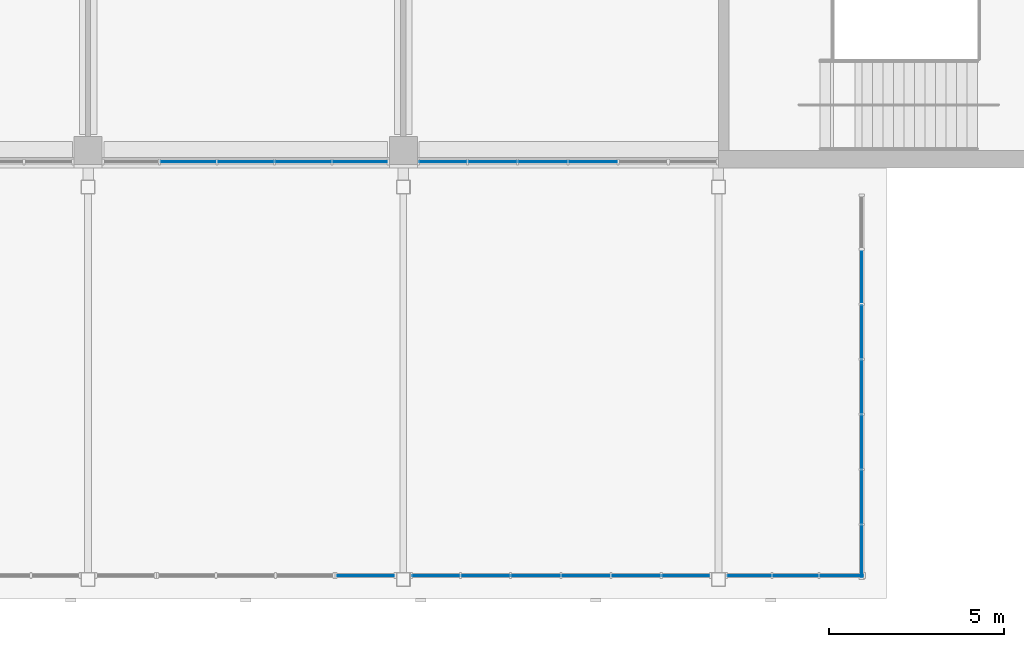
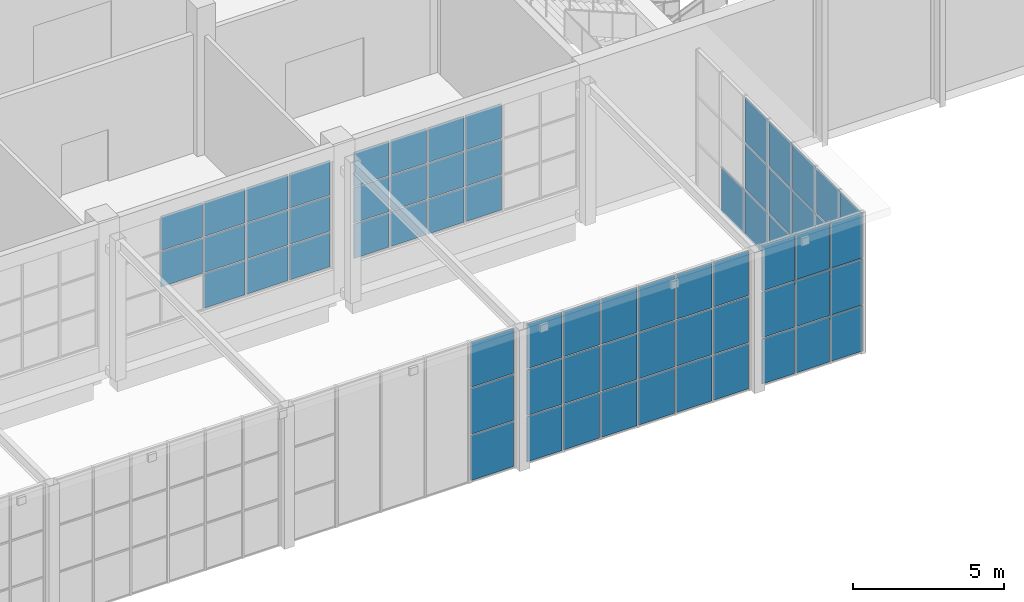
# One storey, part 30 of 89: 69 plates, 6 elements without a shape of their own.
"""IFC4 building model written with IfcOpenShell, lengths in metres."""

from ifc_helpers import new_model, si_unit, direction, frame, origin, origin_2d, place, context, subcontext, project, spatial, rectangle, extrude, material, layer, layer_set, type_object, element, aggregate, save


model = new_model("IFC4")

# Units and contexts
model_context = context("Model", 3, precision=1e-05, world=origin(), true_north=direction((0.0, 1.0)))
body_context = subcontext(model_context, "Body", "Model", "MODEL_VIEW")
ifc_project = project(units=[si_unit("LENGTHUNIT", "METRE"), si_unit("AREAUNIT", "SQUARE_METRE"), si_unit("VOLUMEUNIT", "CUBIC_METRE"), si_unit("PLANEANGLEUNIT", "RADIAN"), si_unit("MASSUNIT", "GRAM", prefix="KILO")], contexts=[model_context])

# Site, building, storey
site_placement = place(None, origin())
site = spatial("IfcSite", under=ifc_project, at=site_placement, CompositionType="ELEMENT")
building_placement = place(site_placement, origin())
building = spatial("IfcBuilding", under=site, at=building_placement, Name="Silverbay Arena", CompositionType="ELEMENT")
storey_placement = place(building_placement, frame((0.0, 0.0, 22.0)))
storey = spatial("IfcBuildingStorey", under=building, at=storey_placement, Name="L03", CompositionType="ELEMENT", Elevation=22.0)

# Curtain wall, plates
ifc_material_1 = material(Name="Aluminium framed curtain wall", Category="aluminium")
curtain_wall_type_1 = type_object("IfcCurtainWallType", Name="Curtain wall 8200 x 4400", PredefinedType="NOTDEFINED", material=ifc_material_1)
curtain_wall_1_placement = place(storey_placement, origin())
curtain_wall_1 = element("IfcCurtainWall", 1, at=curtain_wall_1_placement, inside=storey, type_object=curtain_wall_type_1, Name="South curtain wall L03 bay 9", PredefinedType="NOTDEFINED")
ifc_material_2 = material(Name="Laminated glass", Category="glass")
ifc_layer = layer(ifc_material_2, 0.028076171875)
ifc_layer_set = layer_set([ifc_layer], Name="Laminated glass")
plate_type = type_object("IfcPlateType", Name="Glass panel 28", PredefinedType="CURTAIN_PANEL", material=ifc_layer_set)
plate_1_placement = place(storey_placement, frame((128.860107421875, 17.669921875, 2.49169921875), z_axis=(0.0, 0.0, 1.0), x_axis=(1.0, 0.0, 0.0)))
plate_1 = element("IfcPlate", 2, at=plate_1_placement, type_object=plate_type, Name="CW13 panel 2.2", PredefinedType="CURTAIN_PANEL", context=body_context, shape_type="SweptSolid", body=[
    extrude(rectangle(XDim=1.580078125, YDim=0.028076171875, at=origin_2d()), origin(), (0.0, 0.0, 1.0), 1.416748046875),
])
plate_2_placement = place(storey_placement, frame((128.860107421875, 17.669921875, 3.958251953125), z_axis=(0.0, 0.0, 1.0), x_axis=(1.0, 0.0, 0.0)))
plate_2 = element("IfcPlate", 3, at=plate_2_placement, type_object=plate_type, Name="CW13 panel 2.3", PredefinedType="CURTAIN_PANEL", context=body_context, shape_type="SweptSolid", body=[
    extrude(rectangle(XDim=1.580078125, YDim=0.028076171875, at=origin_2d()), origin(), (0.0, 0.0, 1.0), 1.3916015625),
])
plate_3_placement = place(storey_placement, frame((130.5, 17.669921875, 1.050048828125), z_axis=(0.0, 0.0, 1.0), x_axis=(1.0, 0.0, 0.0)))
plate_3 = element("IfcPlate", 4, at=plate_3_placement, type_object=plate_type, Name="CW13 panel 3.1", PredefinedType="CURTAIN_PANEL", context=body_context, shape_type="SweptSolid", body=[
    extrude(rectangle(XDim=1.580078125, YDim=0.028076171875, at=origin_2d()), origin(), (0.0, 0.0, 1.0), 1.3916015625),
])
plate_4_placement = place(storey_placement, frame((130.5, 17.669921875, 2.49169921875), z_axis=(0.0, 0.0, 1.0), x_axis=(1.0, 0.0, 0.0)))
plate_4 = element("IfcPlate", 5, at=plate_4_placement, type_object=plate_type, Name="CW13 panel 3.2", PredefinedType="CURTAIN_PANEL", context=body_context, shape_type="SweptSolid", body=[
    extrude(rectangle(XDim=1.580078125, YDim=0.028076171875, at=origin_2d()), origin(), (0.0, 0.0, 1.0), 1.416748046875),
])
plate_5_placement = place(storey_placement, frame((130.5, 17.669921875, 3.958251953125), z_axis=(0.0, 0.0, 1.0), x_axis=(1.0, 0.0, 0.0)))
plate_5 = element("IfcPlate", 6, at=plate_5_placement, type_object=plate_type, Name="CW13 panel 3.3", PredefinedType="CURTAIN_PANEL", context=body_context, shape_type="SweptSolid", body=[
    extrude(rectangle(XDim=1.580078125, YDim=0.028076171875, at=origin_2d()), origin(), (0.0, 0.0, 1.0), 1.3916015625),
])
plate_6_placement = place(storey_placement, frame((132.139892578125, 17.669921875, 1.050048828125), z_axis=(0.0, 0.0, 1.0), x_axis=(1.0, 0.0, 0.0)))
plate_6 = element("IfcPlate", 7, at=plate_6_placement, type_object=plate_type, Name="CW13 panel 4.1", PredefinedType="CURTAIN_PANEL", context=body_context, shape_type="SweptSolid", body=[
    extrude(rectangle(XDim=1.580078125, YDim=0.028076171875, at=origin_2d()), origin(), (0.0, 0.0, 1.0), 1.3916015625),
])
plate_7_placement = place(storey_placement, frame((132.139892578125, 17.669921875, 2.49169921875), z_axis=(0.0, 0.0, 1.0), x_axis=(1.0, 0.0, 0.0)))
plate_7 = element("IfcPlate", 8, at=plate_7_placement, type_object=plate_type, Name="CW13 panel 4.2", PredefinedType="CURTAIN_PANEL", context=body_context, shape_type="SweptSolid", body=[
    extrude(rectangle(XDim=1.580078125, YDim=0.028076171875, at=origin_2d()), origin(), (0.0, 0.0, 1.0), 1.416748046875),
])
plate_8_placement = place(storey_placement, frame((132.139892578125, 17.669921875, 3.958251953125), z_axis=(0.0, 0.0, 1.0), x_axis=(1.0, 0.0, 0.0)))
plate_8 = element("IfcPlate", 9, at=plate_8_placement, type_object=plate_type, Name="CW13 panel 4.3", PredefinedType="CURTAIN_PANEL", context=body_context, shape_type="SweptSolid", body=[
    extrude(rectangle(XDim=1.580078125, YDim=0.028076171875, at=origin_2d()), origin(), (0.0, 0.0, 1.0), 1.3916015625),
])
plate_9_placement = place(storey_placement, frame((133.764892578125, 17.669921875, 1.050048828125), z_axis=(0.0, 0.0, 1.0), x_axis=(1.0, 0.0, 0.0)))
plate_9 = element("IfcPlate", 10, at=plate_9_placement, type_object=plate_type, Name="CW13 panel 5.1", PredefinedType="CURTAIN_PANEL", context=body_context, shape_type="SweptSolid", body=[
    extrude(rectangle(XDim=1.550048828125, YDim=0.028076171875, at=origin_2d()), origin(), (0.0, 0.0, 1.0), 1.3916015625),
])
plate_10_placement = place(storey_placement, frame((133.764892578125, 17.669921875, 2.49169921875), z_axis=(0.0, 0.0, 1.0), x_axis=(1.0, 0.0, 0.0)))
plate_10 = element("IfcPlate", 11, at=plate_10_placement, type_object=plate_type, Name="CW13 panel 5.2", PredefinedType="CURTAIN_PANEL", context=body_context, shape_type="SweptSolid", body=[
    extrude(rectangle(XDim=1.550048828125, YDim=0.028076171875, at=origin_2d()), origin(), (0.0, 0.0, 1.0), 1.416748046875),
])
plate_11_placement = place(storey_placement, frame((133.764892578125, 17.669921875, 3.958251953125), z_axis=(0.0, 0.0, 1.0), x_axis=(1.0, 0.0, 0.0)))
plate_11 = element("IfcPlate", 12, at=plate_11_placement, type_object=plate_type, Name="CW13 panel 5.3", PredefinedType="CURTAIN_PANEL", context=body_context, shape_type="SweptSolid", body=[
    extrude(rectangle(XDim=1.550048828125, YDim=0.028076171875, at=origin_2d()), origin(), (0.0, 0.0, 1.0), 1.3916015625),
])
aggregate(curtain_wall_1, [plate_1, plate_2, plate_3, plate_4, plate_5, plate_6, plate_7, plate_8, plate_9, plate_10, plate_11])

ifc_material_3 = material(Name="Aluminium framed curtain wall", Category="aluminium")
curtain_wall_type_2 = type_object("IfcCurtainWallType", Name="Curtain wall 8600 x 4400", PredefinedType="NOTDEFINED", material=ifc_material_3)
curtain_wall_2_placement = place(storey_placement, origin())
curtain_wall_2 = element("IfcCurtainWall", 13, at=curtain_wall_2_placement, inside=storey, type_object=curtain_wall_type_2, Name="South curtain wall L03 bay 10", PredefinedType="NOTDEFINED")
plate_12_placement = place(storey_placement, frame((136.131591796875, 17.669921875, 1.050048828125), z_axis=(0.0, 0.0, 1.0), x_axis=(1.0, 0.0, 0.0)))
plate_12 = element("IfcPlate", 14, at=plate_12_placement, type_object=plate_type, Name="CW12 panel 1.1", PredefinedType="CURTAIN_PANEL", context=body_context, shape_type="SweptSolid", body=[
    extrude(rectangle(XDim=1.34326171875, YDim=0.028076171875, at=origin_2d()), origin(), (0.0, 0.0, 1.0), 1.3916015625),
])
plate_13_placement = place(storey_placement, frame((136.131591796875, 17.669921875, 2.49169921875), z_axis=(0.0, 0.0, 1.0), x_axis=(1.0, 0.0, 0.0)))
plate_13 = element("IfcPlate", 15, at=plate_13_placement, type_object=plate_type, Name="CW12 panel 1.2", PredefinedType="CURTAIN_PANEL", context=body_context, shape_type="SweptSolid", body=[
    extrude(rectangle(XDim=1.34326171875, YDim=0.028076171875, at=origin_2d()), origin(), (0.0, 0.0, 1.0), 1.416748046875),
])
plate_14_placement = place(storey_placement, frame((136.131591796875, 17.669921875, 3.958251953125), z_axis=(0.0, 0.0, 1.0), x_axis=(1.0, 0.0, 0.0)))
plate_14 = element("IfcPlate", 16, at=plate_14_placement, type_object=plate_type, Name="CW12 panel 1.3", PredefinedType="CURTAIN_PANEL", context=body_context, shape_type="SweptSolid", body=[
    extrude(rectangle(XDim=1.34326171875, YDim=0.028076171875, at=origin_2d()), origin(), (0.0, 0.0, 1.0), 1.3916015625),
])
plate_15_placement = place(storey_placement, frame((137.550048828125, 17.669921875, 1.050048828125), z_axis=(0.0, 0.0, 1.0), x_axis=(1.0, 0.0, 0.0)))
plate_15 = element("IfcPlate", 17, at=plate_15_placement, type_object=plate_type, Name="CW12 panel 2.1", PredefinedType="CURTAIN_PANEL", context=body_context, shape_type="SweptSolid", body=[
    extrude(rectangle(XDim=1.373291015625, YDim=0.028076171875, at=origin_2d()), origin(), (0.0, 0.0, 1.0), 1.3916015625),
])
plate_16_placement = place(storey_placement, frame((137.550048828125, 17.669921875, 2.49169921875), z_axis=(0.0, 0.0, 1.0), x_axis=(1.0, 0.0, 0.0)))
plate_16 = element("IfcPlate", 18, at=plate_16_placement, type_object=plate_type, Name="CW12 panel 2.2", PredefinedType="CURTAIN_PANEL", context=body_context, shape_type="SweptSolid", body=[
    extrude(rectangle(XDim=1.373291015625, YDim=0.028076171875, at=origin_2d()), origin(), (0.0, 0.0, 1.0), 1.416748046875),
])
plate_17_placement = place(storey_placement, frame((137.550048828125, 17.669921875, 3.958251953125), z_axis=(0.0, 0.0, 1.0), x_axis=(1.0, 0.0, 0.0)))
plate_17 = element("IfcPlate", 19, at=plate_17_placement, type_object=plate_type, Name="CW12 panel 2.3", PredefinedType="CURTAIN_PANEL", context=body_context, shape_type="SweptSolid", body=[
    extrude(rectangle(XDim=1.373291015625, YDim=0.028076171875, at=origin_2d()), origin(), (0.0, 0.0, 1.0), 1.3916015625),
])
plate_18_placement = place(storey_placement, frame((138.9833984375, 17.669921875, 1.050048828125), z_axis=(0.0, 0.0, 1.0), x_axis=(1.0, 0.0, 0.0)))
plate_18 = element("IfcPlate", 20, at=plate_18_placement, type_object=plate_type, Name="CW12 panel 3.1", PredefinedType="CURTAIN_PANEL", context=body_context, shape_type="SweptSolid", body=[
    extrude(rectangle(XDim=1.373291015625, YDim=0.028076171875, at=origin_2d()), origin(), (0.0, 0.0, 1.0), 1.3916015625),
])
plate_19_placement = place(storey_placement, frame((138.9833984375, 17.669921875, 2.49169921875), z_axis=(0.0, 0.0, 1.0), x_axis=(1.0, 0.0, 0.0)))
plate_19 = element("IfcPlate", 21, at=plate_19_placement, type_object=plate_type, Name="CW12 panel 3.2", PredefinedType="CURTAIN_PANEL", context=body_context, shape_type="SweptSolid", body=[
    extrude(rectangle(XDim=1.373291015625, YDim=0.028076171875, at=origin_2d()), origin(), (0.0, 0.0, 1.0), 1.416748046875),
])
plate_20_placement = place(storey_placement, frame((138.9833984375, 17.669921875, 3.958251953125), z_axis=(0.0, 0.0, 1.0), x_axis=(1.0, 0.0, 0.0)))
plate_20 = element("IfcPlate", 22, at=plate_20_placement, type_object=plate_type, Name="CW12 panel 3.3", PredefinedType="CURTAIN_PANEL", context=body_context, shape_type="SweptSolid", body=[
    extrude(rectangle(XDim=1.373291015625, YDim=0.028076171875, at=origin_2d()), origin(), (0.0, 0.0, 1.0), 1.3916015625),
])
plate_21_placement = place(storey_placement, frame((140.416748046875, 17.669921875, 1.050048828125), z_axis=(0.0, 0.0, 1.0), x_axis=(1.0, 0.0, 0.0)))
plate_21 = element("IfcPlate", 23, at=plate_21_placement, type_object=plate_type, Name="CW12 panel 4.1", PredefinedType="CURTAIN_PANEL", context=body_context, shape_type="SweptSolid", body=[
    extrude(rectangle(XDim=1.373291015625, YDim=0.028076171875, at=origin_2d()), origin(), (0.0, 0.0, 1.0), 1.3916015625),
])
plate_22_placement = place(storey_placement, frame((140.416748046875, 17.669921875, 2.49169921875), z_axis=(0.0, 0.0, 1.0), x_axis=(1.0, 0.0, 0.0)))
plate_22 = element("IfcPlate", 24, at=plate_22_placement, type_object=plate_type, Name="CW12 panel 4.2", PredefinedType="CURTAIN_PANEL", context=body_context, shape_type="SweptSolid", body=[
    extrude(rectangle(XDim=1.373291015625, YDim=0.028076171875, at=origin_2d()), origin(), (0.0, 0.0, 1.0), 1.416748046875),
])
plate_23_placement = place(storey_placement, frame((140.416748046875, 17.669921875, 3.958251953125), z_axis=(0.0, 0.0, 1.0), x_axis=(1.0, 0.0, 0.0)))
plate_23 = element("IfcPlate", 25, at=plate_23_placement, type_object=plate_type, Name="CW12 panel 4.3", PredefinedType="CURTAIN_PANEL", context=body_context, shape_type="SweptSolid", body=[
    extrude(rectangle(XDim=1.373291015625, YDim=0.028076171875, at=origin_2d()), origin(), (0.0, 0.0, 1.0), 1.3916015625),
])
aggregate(curtain_wall_2, [plate_12, plate_13, plate_14, plate_15, plate_16, plate_17, plate_18, plate_19, plate_20, plate_21, plate_22, plate_23])

ifc_material_4 = material(Name="Aluminium framed curtain wall", Category="aluminium")
curtain_wall_type_3 = type_object("IfcCurtainWallType", Name="Curtain wall 1750 x 5700", PredefinedType="NOTDEFINED", material=ifc_material_4)
curtain_wall_3_placement = place(storey_placement, origin())
curtain_wall_3 = element("IfcCurtainWall", 26, at=curtain_wall_3_placement, inside=storey, type_object=curtain_wall_type_3, Name="South entrance hall S1 glazing F1b", PredefinedType="NOTDEFINED")
plate_24_placement = place(storey_placement, frame((133.925048828125, 5.860107421875, 0.0498046875), z_axis=(0.0, 0.0, 1.0), x_axis=(1.0, 0.0, 0.0)))
plate_24 = element("IfcPlate", 27, at=plate_24_placement, type_object=plate_type, Name="CW31 panel 1.1", PredefinedType="CURTAIN_PANEL", context=body_context, shape_type="SweptSolid", body=[
    extrude(rectangle(XDim=1.6298828125, YDim=0.028076171875, at=origin_2d()), origin(), (0.0, 0.0, 1.0), 1.824951171875),
])
plate_25_placement = place(storey_placement, frame((133.925048828125, 5.860107421875, 1.925048828125), z_axis=(0.0, 0.0, 1.0), x_axis=(1.0, 0.0, 0.0)))
plate_25 = element("IfcPlate", 28, at=plate_25_placement, type_object=plate_type, Name="CW31 panel 1.2", PredefinedType="CURTAIN_PANEL", context=body_context, shape_type="SweptSolid", body=[
    extrude(rectangle(XDim=1.6298828125, YDim=0.028076171875, at=origin_2d()), origin(), (0.0, 0.0, 1.0), 1.85009765625),
])
plate_26_placement = place(storey_placement, frame((133.925048828125, 5.860107421875, 3.8251953125), z_axis=(0.0, 0.0, 1.0), x_axis=(1.0, 0.0, 0.0)))
plate_26 = element("IfcPlate", 29, at=plate_26_placement, type_object=plate_type, Name="CW31 panel 1.3", PredefinedType="CURTAIN_PANEL", context=body_context, shape_type="SweptSolid", body=[
    extrude(rectangle(XDim=1.6298828125, YDim=0.028076171875, at=origin_2d()), origin(), (0.0, 0.0, 1.0), 1.824951171875),
])
aggregate(curtain_wall_3, [plate_24, plate_25, plate_26])

ifc_material_5 = material(Name="Aluminium framed curtain wall", Category="aluminium")
curtain_wall_type_4 = type_object("IfcCurtainWallType", Name="Curtain wall 8600 x 5700", PredefinedType="NOTDEFINED", material=ifc_material_5)
curtain_wall_4_placement = place(storey_placement, origin())
curtain_wall_4 = element("IfcCurtainWall", 30, at=curtain_wall_4_placement, inside=storey, type_object=curtain_wall_type_4, Name="South entrance hall S1 glazing F2", PredefinedType="NOTDEFINED")
plate_27_placement = place(storey_placement, frame((135.931640625, 5.860107421875, 0.0498046875), z_axis=(0.0, 0.0, 1.0), x_axis=(1.0, 0.0, 0.0)))
plate_27 = element("IfcPlate", 31, at=plate_27_placement, type_object=plate_type, Name="CW27 panel 1.1", PredefinedType="CURTAIN_PANEL", context=body_context, shape_type="SweptSolid", body=[
    extrude(rectangle(XDim=1.34326171875, YDim=0.028076171875, at=origin_2d()), origin(), (0.0, 0.0, 1.0), 1.824951171875),
])
plate_28_placement = place(storey_placement, frame((135.931640625, 5.860107421875, 1.925048828125), z_axis=(0.0, 0.0, 1.0), x_axis=(1.0, 0.0, 0.0)))
plate_28 = element("IfcPlate", 32, at=plate_28_placement, type_object=plate_type, Name="CW27 panel 1.2", PredefinedType="CURTAIN_PANEL", context=body_context, shape_type="SweptSolid", body=[
    extrude(rectangle(XDim=1.34326171875, YDim=0.028076171875, at=origin_2d()), origin(), (0.0, 0.0, 1.0), 1.85009765625),
])
plate_29_placement = place(storey_placement, frame((135.931640625, 5.860107421875, 3.8251953125), z_axis=(0.0, 0.0, 1.0), x_axis=(1.0, 0.0, 0.0)))
plate_29 = element("IfcPlate", 33, at=plate_29_placement, type_object=plate_type, Name="CW27 panel 1.3", PredefinedType="CURTAIN_PANEL", context=body_context, shape_type="SweptSolid", body=[
    extrude(rectangle(XDim=1.34326171875, YDim=0.028076171875, at=origin_2d()), origin(), (0.0, 0.0, 1.0), 1.824951171875),
])
plate_30_placement = place(storey_placement, frame((137.35009765625, 5.860107421875, 0.0498046875), z_axis=(0.0, 0.0, 1.0), x_axis=(1.0, 0.0, 0.0)))
plate_30 = element("IfcPlate", 34, at=plate_30_placement, type_object=plate_type, Name="CW27 panel 2.1", PredefinedType="CURTAIN_PANEL", context=body_context, shape_type="SweptSolid", body=[
    extrude(rectangle(XDim=1.373291015625, YDim=0.028076171875, at=origin_2d()), origin(), (0.0, 0.0, 1.0), 1.824951171875),
])
plate_31_placement = place(storey_placement, frame((137.35009765625, 5.860107421875, 1.925048828125), z_axis=(0.0, 0.0, 1.0), x_axis=(1.0, 0.0, 0.0)))
plate_31 = element("IfcPlate", 35, at=plate_31_placement, type_object=plate_type, Name="CW27 panel 2.2", PredefinedType="CURTAIN_PANEL", context=body_context, shape_type="SweptSolid", body=[
    extrude(rectangle(XDim=1.373291015625, YDim=0.028076171875, at=origin_2d()), origin(), (0.0, 0.0, 1.0), 1.85009765625),
])
plate_32_placement = place(storey_placement, frame((137.35009765625, 5.860107421875, 3.8251953125), z_axis=(0.0, 0.0, 1.0), x_axis=(1.0, 0.0, 0.0)))
plate_32 = element("IfcPlate", 36, at=plate_32_placement, type_object=plate_type, Name="CW27 panel 2.3", PredefinedType="CURTAIN_PANEL", context=body_context, shape_type="SweptSolid", body=[
    extrude(rectangle(XDim=1.373291015625, YDim=0.028076171875, at=origin_2d()), origin(), (0.0, 0.0, 1.0), 1.824951171875),
])
plate_33_placement = place(storey_placement, frame((138.783447265625, 5.860107421875, 0.0498046875), z_axis=(0.0, 0.0, 1.0), x_axis=(1.0, 0.0, 0.0)))
plate_33 = element("IfcPlate", 37, at=plate_33_placement, type_object=plate_type, Name="CW27 panel 3.1", PredefinedType="CURTAIN_PANEL", context=body_context, shape_type="SweptSolid", body=[
    extrude(rectangle(XDim=1.373291015625, YDim=0.028076171875, at=origin_2d()), origin(), (0.0, 0.0, 1.0), 1.824951171875),
])
plate_34_placement = place(storey_placement, frame((138.783447265625, 5.860107421875, 1.925048828125), z_axis=(0.0, 0.0, 1.0), x_axis=(1.0, 0.0, 0.0)))
plate_34 = element("IfcPlate", 38, at=plate_34_placement, type_object=plate_type, Name="CW27 panel 3.2", PredefinedType="CURTAIN_PANEL", context=body_context, shape_type="SweptSolid", body=[
    extrude(rectangle(XDim=1.373291015625, YDim=0.028076171875, at=origin_2d()), origin(), (0.0, 0.0, 1.0), 1.85009765625),
])
plate_35_placement = place(storey_placement, frame((138.783447265625, 5.860107421875, 3.8251953125), z_axis=(0.0, 0.0, 1.0), x_axis=(1.0, 0.0, 0.0)))
plate_35 = element("IfcPlate", 39, at=plate_35_placement, type_object=plate_type, Name="CW27 panel 3.3", PredefinedType="CURTAIN_PANEL", context=body_context, shape_type="SweptSolid", body=[
    extrude(rectangle(XDim=1.373291015625, YDim=0.028076171875, at=origin_2d()), origin(), (0.0, 0.0, 1.0), 1.824951171875),
])
plate_36_placement = place(storey_placement, frame((140.216552734375, 5.860107421875, 0.0498046875), z_axis=(0.0, 0.0, 1.0), x_axis=(1.0, 0.0, 0.0)))
plate_36 = element("IfcPlate", 40, at=plate_36_placement, type_object=plate_type, Name="CW27 panel 4.1", PredefinedType="CURTAIN_PANEL", context=body_context, shape_type="SweptSolid", body=[
    extrude(rectangle(XDim=1.373291015625, YDim=0.028076171875, at=origin_2d()), origin(), (0.0, 0.0, 1.0), 1.824951171875),
])
plate_37_placement = place(storey_placement, frame((140.216552734375, 5.860107421875, 1.925048828125), z_axis=(0.0, 0.0, 1.0), x_axis=(1.0, 0.0, 0.0)))
plate_37 = element("IfcPlate", 41, at=plate_37_placement, type_object=plate_type, Name="CW27 panel 4.2", PredefinedType="CURTAIN_PANEL", context=body_context, shape_type="SweptSolid", body=[
    extrude(rectangle(XDim=1.373291015625, YDim=0.028076171875, at=origin_2d()), origin(), (0.0, 0.0, 1.0), 1.85009765625),
])
plate_38_placement = place(storey_placement, frame((140.216552734375, 5.860107421875, 3.8251953125), z_axis=(0.0, 0.0, 1.0), x_axis=(1.0, 0.0, 0.0)))
plate_38 = element("IfcPlate", 42, at=plate_38_placement, type_object=plate_type, Name="CW27 panel 4.3", PredefinedType="CURTAIN_PANEL", context=body_context, shape_type="SweptSolid", body=[
    extrude(rectangle(XDim=1.373291015625, YDim=0.028076171875, at=origin_2d()), origin(), (0.0, 0.0, 1.0), 1.824951171875),
])
plate_39_placement = place(storey_placement, frame((141.64990234375, 5.860107421875, 0.0498046875), z_axis=(0.0, 0.0, 1.0), x_axis=(1.0, 0.0, 0.0)))
plate_39 = element("IfcPlate", 43, at=plate_39_placement, type_object=plate_type, Name="CW27 panel 5.1", PredefinedType="CURTAIN_PANEL", context=body_context, shape_type="SweptSolid", body=[
    extrude(rectangle(XDim=1.373291015625, YDim=0.028076171875, at=origin_2d()), origin(), (0.0, 0.0, 1.0), 1.824951171875),
])
plate_40_placement = place(storey_placement, frame((141.64990234375, 5.860107421875, 1.925048828125), z_axis=(0.0, 0.0, 1.0), x_axis=(1.0, 0.0, 0.0)))
plate_40 = element("IfcPlate", 44, at=plate_40_placement, type_object=plate_type, Name="CW27 panel 5.2", PredefinedType="CURTAIN_PANEL", context=body_context, shape_type="SweptSolid", body=[
    extrude(rectangle(XDim=1.373291015625, YDim=0.028076171875, at=origin_2d()), origin(), (0.0, 0.0, 1.0), 1.85009765625),
])
plate_41_placement = place(storey_placement, frame((141.64990234375, 5.860107421875, 3.8251953125), z_axis=(0.0, 0.0, 1.0), x_axis=(1.0, 0.0, 0.0)))
plate_41 = element("IfcPlate", 45, at=plate_41_placement, type_object=plate_type, Name="CW27 panel 5.3", PredefinedType="CURTAIN_PANEL", context=body_context, shape_type="SweptSolid", body=[
    extrude(rectangle(XDim=1.373291015625, YDim=0.028076171875, at=origin_2d()), origin(), (0.0, 0.0, 1.0), 1.824951171875),
])
plate_42_placement = place(storey_placement, frame((143.068359375, 5.860107421875, 0.0498046875), z_axis=(0.0, 0.0, 1.0), x_axis=(1.0, 0.0, 0.0)))
plate_42 = element("IfcPlate", 46, at=plate_42_placement, type_object=plate_type, Name="CW27 panel 6.1", PredefinedType="CURTAIN_PANEL", context=body_context, shape_type="SweptSolid", body=[
    extrude(rectangle(XDim=1.34326171875, YDim=0.028076171875, at=origin_2d()), origin(), (0.0, 0.0, 1.0), 1.824951171875),
])
plate_43_placement = place(storey_placement, frame((143.068359375, 5.860107421875, 1.925048828125), z_axis=(0.0, 0.0, 1.0), x_axis=(1.0, 0.0, 0.0)))
plate_43 = element("IfcPlate", 47, at=plate_43_placement, type_object=plate_type, Name="CW27 panel 6.2", PredefinedType="CURTAIN_PANEL", context=body_context, shape_type="SweptSolid", body=[
    extrude(rectangle(XDim=1.34326171875, YDim=0.028076171875, at=origin_2d()), origin(), (0.0, 0.0, 1.0), 1.85009765625),
])
plate_44_placement = place(storey_placement, frame((143.068359375, 5.860107421875, 3.8251953125), z_axis=(0.0, 0.0, 1.0), x_axis=(1.0, 0.0, 0.0)))
plate_44 = element("IfcPlate", 48, at=plate_44_placement, type_object=plate_type, Name="CW27 panel 6.3", PredefinedType="CURTAIN_PANEL", context=body_context, shape_type="SweptSolid", body=[
    extrude(rectangle(XDim=1.34326171875, YDim=0.028076171875, at=origin_2d()), origin(), (0.0, 0.0, 1.0), 1.824951171875),
])
aggregate(curtain_wall_4, [plate_27, plate_28, plate_29, plate_30, plate_31, plate_32, plate_33, plate_34, plate_35, plate_36, plate_37, plate_38, plate_39, plate_40, plate_41, plate_42, plate_43, plate_44])

ifc_material_6 = material(Name="Aluminium framed curtain wall", Category="aluminium")
curtain_wall_type_5 = type_object("IfcCurtainWallType", Name="Curtain wall 4000 x 5700", PredefinedType="NOTDEFINED", material=ifc_material_6)
curtain_wall_5_placement = place(storey_placement, origin())
curtain_wall_5 = element("IfcCurtainWall", 49, at=curtain_wall_5_placement, inside=storey, type_object=curtain_wall_type_5, Name="South entrance hall S1 glazing F-b", PredefinedType="NOTDEFINED")
plate_45_placement = place(storey_placement, frame((144.881591796875, 5.860107421875, 0.0498046875), z_axis=(0.0, 0.0, 1.0), x_axis=(1.0, 0.0, 0.0)))
plate_45 = element("IfcPlate", 50, at=plate_45_placement, type_object=plate_type, Name="CW35 panel 1.1", PredefinedType="CURTAIN_PANEL", context=body_context, shape_type="SweptSolid", body=[
    extrude(rectangle(XDim=1.243408203125, YDim=0.028076171875, at=origin_2d()), origin(), (0.0, 0.0, 1.0), 1.824951171875),
])
plate_46_placement = place(storey_placement, frame((144.881591796875, 5.860107421875, 1.925048828125), z_axis=(0.0, 0.0, 1.0), x_axis=(1.0, 0.0, 0.0)))
plate_46 = element("IfcPlate", 51, at=plate_46_placement, type_object=plate_type, Name="CW35 panel 1.2", PredefinedType="CURTAIN_PANEL", context=body_context, shape_type="SweptSolid", body=[
    extrude(rectangle(XDim=1.243408203125, YDim=0.028076171875, at=origin_2d()), origin(), (0.0, 0.0, 1.0), 1.85009765625),
])
plate_47_placement = place(storey_placement, frame((144.881591796875, 5.860107421875, 3.8251953125), z_axis=(0.0, 0.0, 1.0), x_axis=(1.0, 0.0, 0.0)))
plate_47 = element("IfcPlate", 52, at=plate_47_placement, type_object=plate_type, Name="CW35 panel 1.3", PredefinedType="CURTAIN_PANEL", context=body_context, shape_type="SweptSolid", body=[
    extrude(rectangle(XDim=1.243408203125, YDim=0.028076171875, at=origin_2d()), origin(), (0.0, 0.0, 1.0), 1.824951171875),
])
plate_48_placement = place(storey_placement, frame((146.199951171875, 5.860107421875, 0.0498046875), z_axis=(0.0, 0.0, 1.0), x_axis=(1.0, 0.0, 0.0)))
plate_48 = element("IfcPlate", 53, at=plate_48_placement, type_object=plate_type, Name="CW35 panel 2.1", PredefinedType="CURTAIN_PANEL", context=body_context, shape_type="SweptSolid", body=[
    extrude(rectangle(XDim=1.2734375, YDim=0.028076171875, at=origin_2d()), origin(), (0.0, 0.0, 1.0), 1.824951171875),
])
plate_49_placement = place(storey_placement, frame((146.199951171875, 5.860107421875, 1.925048828125), z_axis=(0.0, 0.0, 1.0), x_axis=(1.0, 0.0, 0.0)))
plate_49 = element("IfcPlate", 54, at=plate_49_placement, type_object=plate_type, Name="CW35 panel 2.2", PredefinedType="CURTAIN_PANEL", context=body_context, shape_type="SweptSolid", body=[
    extrude(rectangle(XDim=1.2734375, YDim=0.028076171875, at=origin_2d()), origin(), (0.0, 0.0, 1.0), 1.85009765625),
])
plate_50_placement = place(storey_placement, frame((146.199951171875, 5.860107421875, 3.8251953125), z_axis=(0.0, 0.0, 1.0), x_axis=(1.0, 0.0, 0.0)))
plate_50 = element("IfcPlate", 55, at=plate_50_placement, type_object=plate_type, Name="CW35 panel 2.3", PredefinedType="CURTAIN_PANEL", context=body_context, shape_type="SweptSolid", body=[
    extrude(rectangle(XDim=1.2734375, YDim=0.028076171875, at=origin_2d()), origin(), (0.0, 0.0, 1.0), 1.824951171875),
])
plate_51_placement = place(storey_placement, frame((147.518310546875, 5.860107421875, 0.0498046875), z_axis=(0.0, 0.0, 1.0), x_axis=(1.0, 0.0, 0.0)))
plate_51 = element("IfcPlate", 56, at=plate_51_placement, type_object=plate_type, Name="CW35 panel 3.1", PredefinedType="CURTAIN_PANEL", context=body_context, shape_type="SweptSolid", body=[
    extrude(rectangle(XDim=1.243408203125, YDim=0.028076171875, at=origin_2d()), origin(), (0.0, 0.0, 1.0), 1.824951171875),
])
plate_52_placement = place(storey_placement, frame((147.518310546875, 5.860107421875, 1.925048828125), z_axis=(0.0, 0.0, 1.0), x_axis=(1.0, 0.0, 0.0)))
plate_52 = element("IfcPlate", 57, at=plate_52_placement, type_object=plate_type, Name="CW35 panel 3.2", PredefinedType="CURTAIN_PANEL", context=body_context, shape_type="SweptSolid", body=[
    extrude(rectangle(XDim=1.243408203125, YDim=0.028076171875, at=origin_2d()), origin(), (0.0, 0.0, 1.0), 1.85009765625),
])
plate_53_placement = place(storey_placement, frame((147.518310546875, 5.860107421875, 3.8251953125), z_axis=(0.0, 0.0, 1.0), x_axis=(1.0, 0.0, 0.0)))
plate_53 = element("IfcPlate", 58, at=plate_53_placement, type_object=plate_type, Name="CW35 panel 3.3", PredefinedType="CURTAIN_PANEL", context=body_context, shape_type="SweptSolid", body=[
    extrude(rectangle(XDim=1.243408203125, YDim=0.028076171875, at=origin_2d()), origin(), (0.0, 0.0, 1.0), 1.824951171875),
])
aggregate(curtain_wall_5, [plate_45, plate_46, plate_47, plate_48, plate_49, plate_50, plate_51, plate_52, plate_53])

ifc_material_7 = material(Name="Aluminium framed curtain wall", Category="aluminium")
curtain_wall_type_6 = type_object("IfcCurtainWallType", Name="Curtain wall 11000 x 5700", PredefinedType="NOTDEFINED", material=ifc_material_7)
curtain_wall_6_placement = place(storey_placement, origin())
curtain_wall_6 = element("IfcCurtainWall", 59, at=curtain_wall_6_placement, inside=storey, type_object=curtain_wall_type_6, Name="South entrance hall S1 glazing SB", PredefinedType="NOTDEFINED")
plate_54_placement = place(storey_placement, frame((148.090087890625, 6.55078125, 0.0498046875), z_axis=(0.0, 0.0, 1.0), x_axis=(0.0, 1.0, 0.0)))
plate_54 = element("IfcPlate", 60, at=plate_54_placement, type_object=plate_type, Name="CW38 panel 1.1", PredefinedType="CURTAIN_PANEL", context=body_context, shape_type="SweptSolid", body=[
    extrude(rectangle(XDim=1.4814453125, YDim=0.028076171875, at=origin_2d()), origin(), (0.0, 0.0, 1.0), 1.824951171875),
])
plate_55_placement = place(storey_placement, frame((148.090087890625, 6.55078125, 1.925048828125), z_axis=(0.0, 0.0, 1.0), x_axis=(0.0, 1.0, 0.0)))
plate_55 = element("IfcPlate", 61, at=plate_55_placement, type_object=plate_type, Name="CW38 panel 1.2", PredefinedType="CURTAIN_PANEL", context=body_context, shape_type="SweptSolid", body=[
    extrude(rectangle(XDim=1.4814453125, YDim=0.028076171875, at=origin_2d()), origin(), (0.0, 0.0, 1.0), 1.85009765625),
])
plate_56_placement = place(storey_placement, frame((148.090087890625, 6.55078125, 3.8251953125), z_axis=(0.0, 0.0, 1.0), x_axis=(0.0, 1.0, 0.0)))
plate_56 = element("IfcPlate", 62, at=plate_56_placement, type_object=plate_type, Name="CW38 panel 1.3", PredefinedType="CURTAIN_PANEL", context=body_context, shape_type="SweptSolid", body=[
    extrude(rectangle(XDim=1.4814453125, YDim=0.028076171875, at=origin_2d()), origin(), (0.0, 0.0, 1.0), 1.824951171875),
])
plate_57_placement = place(storey_placement, frame((148.090087890625, 8.107177734375, 0.0498046875), z_axis=(0.0, 0.0, 1.0), x_axis=(0.0, 1.0, 0.0)))
plate_57 = element("IfcPlate", 63, at=plate_57_placement, type_object=plate_type, Name="CW38 panel 2.1", PredefinedType="CURTAIN_PANEL", context=body_context, shape_type="SweptSolid", body=[
    extrude(rectangle(XDim=1.511474609375, YDim=0.028076171875, at=origin_2d()), origin(), (0.0, 0.0, 1.0), 1.824951171875),
])
plate_58_placement = place(storey_placement, frame((148.090087890625, 8.107177734375, 1.925048828125), z_axis=(0.0, 0.0, 1.0), x_axis=(0.0, 1.0, 0.0)))
plate_58 = element("IfcPlate", 64, at=plate_58_placement, type_object=plate_type, Name="CW38 panel 2.2", PredefinedType="CURTAIN_PANEL", context=body_context, shape_type="SweptSolid", body=[
    extrude(rectangle(XDim=1.511474609375, YDim=0.028076171875, at=origin_2d()), origin(), (0.0, 0.0, 1.0), 1.85009765625),
])
plate_59_placement = place(storey_placement, frame((148.090087890625, 8.107177734375, 3.8251953125), z_axis=(0.0, 0.0, 1.0), x_axis=(0.0, 1.0, 0.0)))
plate_59 = element("IfcPlate", 65, at=plate_59_placement, type_object=plate_type, Name="CW38 panel 2.3", PredefinedType="CURTAIN_PANEL", context=body_context, shape_type="SweptSolid", body=[
    extrude(rectangle(XDim=1.511474609375, YDim=0.028076171875, at=origin_2d()), origin(), (0.0, 0.0, 1.0), 1.824951171875),
])
plate_60_placement = place(storey_placement, frame((148.090087890625, 9.678466796875, 0.0498046875), z_axis=(0.0, 0.0, 1.0), x_axis=(0.0, 1.0, 0.0)))
plate_60 = element("IfcPlate", 66, at=plate_60_placement, type_object=plate_type, Name="CW38 panel 3.1", PredefinedType="CURTAIN_PANEL", context=body_context, shape_type="SweptSolid", body=[
    extrude(rectangle(XDim=1.511474609375, YDim=0.028076171875, at=origin_2d()), origin(), (0.0, 0.0, 1.0), 1.824951171875),
])
plate_61_placement = place(storey_placement, frame((148.090087890625, 9.678466796875, 1.925048828125), z_axis=(0.0, 0.0, 1.0), x_axis=(0.0, 1.0, 0.0)))
plate_61 = element("IfcPlate", 67, at=plate_61_placement, type_object=plate_type, Name="CW38 panel 3.2", PredefinedType="CURTAIN_PANEL", context=body_context, shape_type="SweptSolid", body=[
    extrude(rectangle(XDim=1.511474609375, YDim=0.028076171875, at=origin_2d()), origin(), (0.0, 0.0, 1.0), 1.85009765625),
])
plate_62_placement = place(storey_placement, frame((148.090087890625, 9.678466796875, 3.8251953125), z_axis=(0.0, 0.0, 1.0), x_axis=(0.0, 1.0, 0.0)))
plate_62 = element("IfcPlate", 68, at=plate_62_placement, type_object=plate_type, Name="CW38 panel 3.3", PredefinedType="CURTAIN_PANEL", context=body_context, shape_type="SweptSolid", body=[
    extrude(rectangle(XDim=1.511474609375, YDim=0.028076171875, at=origin_2d()), origin(), (0.0, 0.0, 1.0), 1.824951171875),
])
plate_63_placement = place(storey_placement, frame((148.090087890625, 11.25, 0.0498046875), z_axis=(0.0, 0.0, 1.0), x_axis=(0.0, 1.0, 0.0)))
plate_63 = element("IfcPlate", 69, at=plate_63_placement, type_object=plate_type, Name="CW38 panel 4.1", PredefinedType="CURTAIN_PANEL", context=body_context, shape_type="SweptSolid", body=[
    extrude(rectangle(XDim=1.511474609375, YDim=0.028076171875, at=origin_2d()), origin(), (0.0, 0.0, 1.0), 1.824951171875),
])
plate_64_placement = place(storey_placement, frame((148.090087890625, 11.25, 1.925048828125), z_axis=(0.0, 0.0, 1.0), x_axis=(0.0, 1.0, 0.0)))
plate_64 = element("IfcPlate", 70, at=plate_64_placement, type_object=plate_type, Name="CW38 panel 4.2", PredefinedType="CURTAIN_PANEL", context=body_context, shape_type="SweptSolid", body=[
    extrude(rectangle(XDim=1.511474609375, YDim=0.028076171875, at=origin_2d()), origin(), (0.0, 0.0, 1.0), 1.85009765625),
])
plate_65_placement = place(storey_placement, frame((148.090087890625, 11.25, 3.8251953125), z_axis=(0.0, 0.0, 1.0), x_axis=(0.0, 1.0, 0.0)))
plate_65 = element("IfcPlate", 71, at=plate_65_placement, type_object=plate_type, Name="CW38 panel 4.3", PredefinedType="CURTAIN_PANEL", context=body_context, shape_type="SweptSolid", body=[
    extrude(rectangle(XDim=1.511474609375, YDim=0.028076171875, at=origin_2d()), origin(), (0.0, 0.0, 1.0), 1.824951171875),
])
plate_66_placement = place(storey_placement, frame((148.090087890625, 12.821533203125, 0.0498046875), z_axis=(0.0, 0.0, 1.0), x_axis=(0.0, 1.0, 0.0)))
plate_66 = element("IfcPlate", 72, at=plate_66_placement, type_object=plate_type, Name="CW38 panel 5.1", PredefinedType="CURTAIN_PANEL", context=body_context, shape_type="SweptSolid", body=[
    extrude(rectangle(XDim=1.511474609375, YDim=0.028076171875, at=origin_2d()), origin(), (0.0, 0.0, 1.0), 1.824951171875),
])
plate_67_placement = place(storey_placement, frame((148.090087890625, 12.821533203125, 1.925048828125), z_axis=(0.0, 0.0, 1.0), x_axis=(0.0, 1.0, 0.0)))
plate_67 = element("IfcPlate", 73, at=plate_67_placement, type_object=plate_type, Name="CW38 panel 5.2", PredefinedType="CURTAIN_PANEL", context=body_context, shape_type="SweptSolid", body=[
    extrude(rectangle(XDim=1.511474609375, YDim=0.028076171875, at=origin_2d()), origin(), (0.0, 0.0, 1.0), 1.85009765625),
])
plate_68_placement = place(storey_placement, frame((148.090087890625, 12.821533203125, 3.8251953125), z_axis=(0.0, 0.0, 1.0), x_axis=(0.0, 1.0, 0.0)))
plate_68 = element("IfcPlate", 74, at=plate_68_placement, type_object=plate_type, Name="CW38 panel 5.3", PredefinedType="CURTAIN_PANEL", context=body_context, shape_type="SweptSolid", body=[
    extrude(rectangle(XDim=1.511474609375, YDim=0.028076171875, at=origin_2d()), origin(), (0.0, 0.0, 1.0), 1.824951171875),
])
plate_69_placement = place(storey_placement, frame((148.090087890625, 14.392822265625, 0.0498046875), z_axis=(0.0, 0.0, 1.0), x_axis=(0.0, 1.0, 0.0)))
plate_69 = element("IfcPlate", 75, at=plate_69_placement, type_object=plate_type, Name="CW38 panel 6.1", PredefinedType="CURTAIN_PANEL", context=body_context, shape_type="SweptSolid", body=[
    extrude(rectangle(XDim=1.511474609375, YDim=0.028076171875, at=origin_2d()), origin(), (0.0, 0.0, 1.0), 1.824951171875),
])
aggregate(curtain_wall_6, [plate_54, plate_55, plate_56, plate_57, plate_58, plate_59, plate_60, plate_61, plate_62, plate_63, plate_64, plate_65, plate_66, plate_67, plate_68, plate_69])

save(model, "model.ifc")
